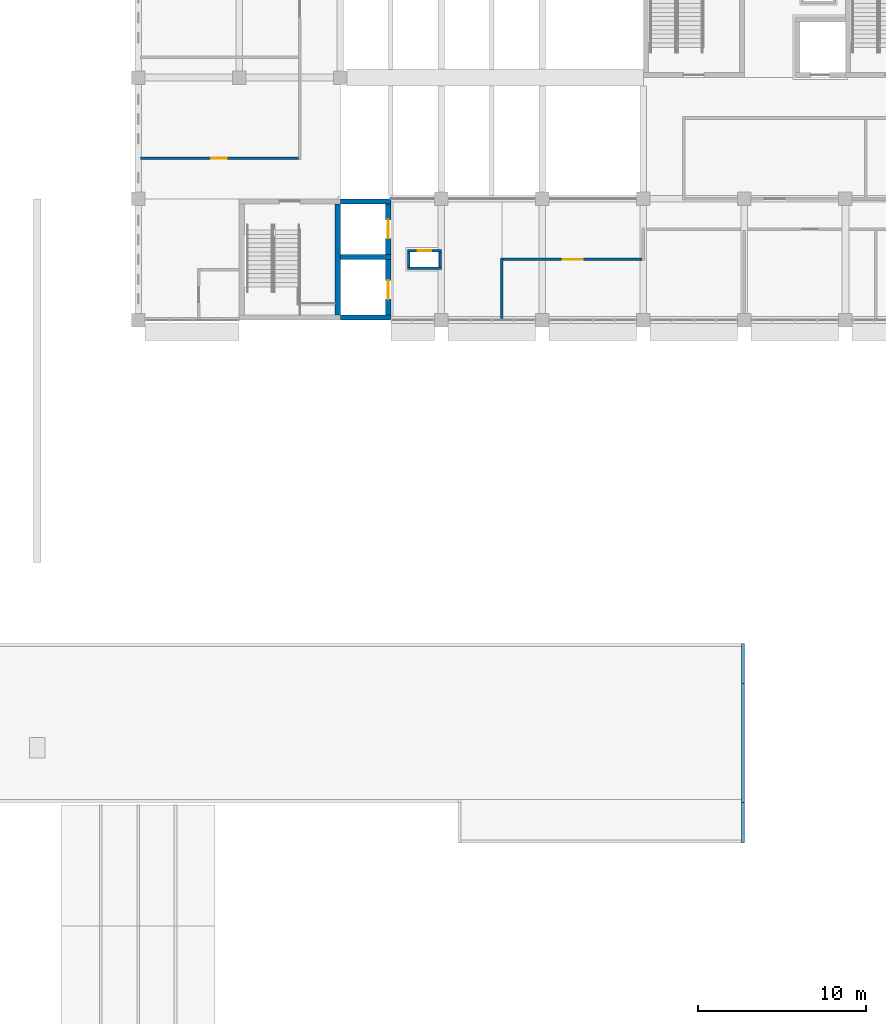
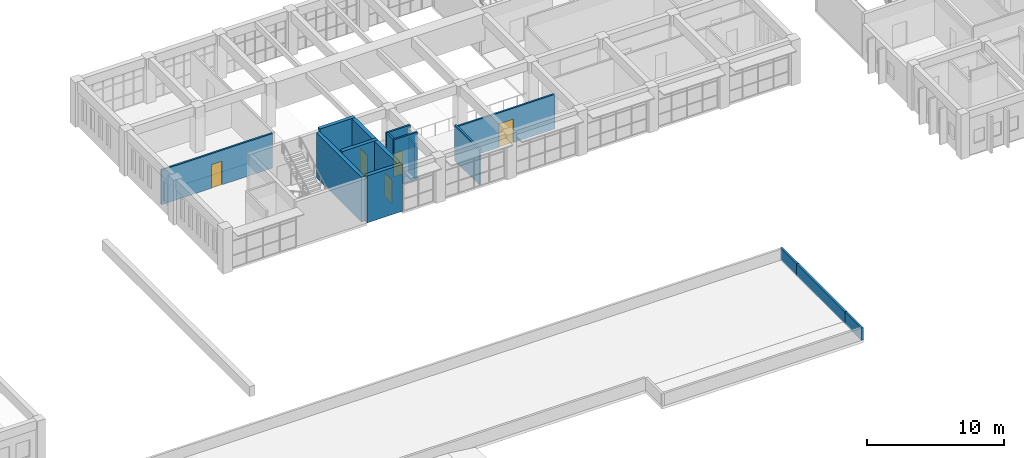
# One storey, part 32 of 47: 16 walls, 5 doors, 5 openings.
"""IFC4 building model written with IfcOpenShell, lengths in metres."""

from ifc_helpers import new_model, si_unit, direction, frame, frame_2d, origin, place, context, subcontext, project, spatial, rectangle, extrude, material, layer, layer_set, type_object, element, fill, save


model = new_model("IFC4")

# Units and contexts
model_context = context("Model", 3, precision=1e-05, world=origin(), true_north=direction((0.0, 1.0)))
body_context = subcontext(model_context, "Body", "Model", "MODEL_VIEW")
ifc_project = project(units=[si_unit("LENGTHUNIT", "METRE"), si_unit("AREAUNIT", "SQUARE_METRE"), si_unit("VOLUMEUNIT", "CUBIC_METRE"), si_unit("PLANEANGLEUNIT", "RADIAN"), si_unit("MASSUNIT", "GRAM", prefix="KILO")], contexts=[model_context])

# Site, building, storey
site_placement = place(None, origin())
site = spatial("IfcSite", under=ifc_project, at=site_placement, CompositionType="ELEMENT")
building_placement = place(site_placement, origin())
building = spatial("IfcBuilding", under=site, at=building_placement, Name="Laocheng Heights Fire and Rescue Headquarters", CompositionType="ELEMENT")
storey_placement = place(building_placement, frame((0.0, 0.0, 16.800048828125)))
storey = spatial("IfcBuildingStorey", under=building, at=storey_placement, Name="L04", CompositionType="ELEMENT", Elevation=16.800048828125)

# Wall
ifc_material_1 = material(Name="Gypsum plaster")
ifc_layer_1 = layer(ifc_material_1, 0.010009765625, Name="PLASTER", Category="plaster")
ifc_material_2 = material(Name="Concrete blockwork MU10", Category="masonry")
ifc_layer_2 = layer(ifc_material_2, 0.1298828125, Name="BLOCKWORK", Category="masonry")
ifc_layer_3 = layer(ifc_material_1, 0.010009765625, Name="PLASTER", Category="plaster")
ifc_layer_set_1 = layer_set([ifc_layer_1, ifc_layer_2, ifc_layer_3], Name="Concrete blockwork MU10")
wall_type_1 = type_object("IfcWallType", Name="BLOCKWORK CORRIDOR WALL 150 EI 60 HQ WING", PredefinedType="PARTITIONING", material=ifc_layer_set_1)
wall_1_placement = place(storey_placement, frame((57.60009765625, 50.47509765625, 0.0), z_axis=(0.0, 0.0, 1.0), x_axis=(0.0, 1.0, 0.0)))
element("IfcWall", 1, at=wall_1_placement, inside=storey, type_object=wall_type_1, Name="Partition L04-003", PredefinedType="PARTITIONING", context=body_context, shape_type="SweptSolid", body=[
    extrude(rectangle(XDim=3.599853515625, YDim=0.14990234375, at=frame_2d((1.7998046875, 0.0))), origin(), (0.0, 0.0, 1.0), 3.199951171875),
])

# Wall, opening, door
wall_2_placement = place(storey_placement, frame((57.675048828125, 54.0, 0.0), z_axis=(0.0, 0.0, 1.0), x_axis=(1.0, 0.0, 0.0)))
wall_2 = element("IfcWall", 2, at=wall_2_placement, inside=storey, type_object=wall_type_1, Name="Partition L04-010", PredefinedType="PARTITIONING", context=body_context, shape_type="SweptSolid", body=[
    extrude(rectangle(XDim=8.25, YDim=0.14990234375, at=frame_2d((4.125, 0.0))), origin(), (0.0, 0.0, 1.0), 3.099853515625),
])
opening_1_placement = place(wall_2_placement, frame((3.52490234375, 0.0, 0.0)))
opening_1 = element("IfcOpeningElement", 3, at=opening_1_placement, cuts=wall_2, Name="Opening L04-Y03", PredefinedType="OPENING", context=body_context, shape_type="SweptSolid", body=[
    extrude(rectangle(XDim=1.199951171875, YDim=2.10009765625, at=frame_2d((0.60009765625, 1.050048828125))), frame((0.0, 0.0849609375, 0.0), z_axis=(0.0, -1.0, 0.0), x_axis=(1.0, 0.0, 0.0)), (0.0, 0.0, 1.0), 0.169921875),
])
ifc_material_3 = material(Name="Timber door leaf, veneered", Category="wood")
door_type_1 = type_object("IfcDoorType", Name="TIMBER DOOR 1200x2100 EI 30 HQ WING", OperationType="SINGLE_SWING_LEFT", PredefinedType="DOOR", material=ifc_material_3)
door_1_placement = place(opening_1_placement, origin())
door_1 = element("IfcDoor", 4, at=door_1_placement, inside=storey, type_object=door_type_1, Name="Door L04-Y03", OperationType="SINGLE_SWING_LEFT", OverallHeight=2.10009765625, OverallWidth=1.199951171875, PredefinedType="DOOR", context=body_context, shape_type="SweptSolid", body=[
    extrude(rectangle(XDim=1.199951171875, YDim=2.10009765625, at=frame_2d((0.60009765625, 1.050048828125))), frame((0.0, 0.02490234375, 0.0), z_axis=(0.0, -1.0, 0.0), x_axis=(1.0, 0.0, 0.0)), (0.0, 0.0, 1.0), 0.050048828125),
])
fill(opening_1, door_1)

wall_3_placement = place(storey_placement, frame((36.14990234375, 60.0, 0.0), z_axis=(0.0, 0.0, 1.0), x_axis=(1.0, 0.0, 0.0)))
wall_3 = element("IfcWall", 5, at=wall_3_placement, inside=storey, type_object=wall_type_1, Name="Partition L04-015", PredefinedType="PARTITIONING", context=body_context, shape_type="SweptSolid", body=[
    extrude(rectangle(XDim=9.375, YDim=0.14990234375, at=frame_2d((4.6875, 0.0))), origin(), (0.0, 0.0, 1.0), 3.099853515625),
])
opening_2_placement = place(wall_3_placement, frame((4.199951171875, 0.0, 0.0)))
opening_2 = element("IfcOpeningElement", 6, at=opening_2_placement, cuts=wall_3, Name="Opening L04-Y08", PredefinedType="OPENING", context=body_context, shape_type="SweptSolid", body=[
    extrude(rectangle(XDim=0.89990234375, YDim=2.10009765625, at=frame_2d((0.449951171875, 1.050048828125))), frame((0.0, 0.0849609375, 0.0), z_axis=(0.0, -1.0, 0.0), x_axis=(1.0, 0.0, 0.0)), (0.0, 0.0, 1.0), 0.169921875),
])
ifc_material_4 = material(Name="Timber door leaf, veneered", Category="wood")
door_type_2 = type_object("IfcDoorType", Name="TIMBER DOOR 900x2100 EI 30 HQ WING", OperationType="SINGLE_SWING_LEFT", PredefinedType="DOOR", material=ifc_material_4)
door_2_placement = place(opening_2_placement, origin())
door_2 = element("IfcDoor", 7, at=door_2_placement, inside=storey, type_object=door_type_2, Name="Door L04-Y08", OperationType="SINGLE_SWING_LEFT", OverallHeight=2.10009765625, OverallWidth=0.89990234375, PredefinedType="DOOR", context=body_context, shape_type="SweptSolid", body=[
    extrude(rectangle(XDim=0.89990234375, YDim=2.10009765625, at=frame_2d((0.449951171875, 1.050048828125))), frame((0.0, 0.02490234375, 0.0), z_axis=(0.0, -1.0, 0.0), x_axis=(1.0, 0.0, 0.0)), (0.0, 0.0, 1.0), 0.050048828125),
])
fill(opening_2, door_2)

# Walls
ifc_material_5 = material(Name="Precast concrete C40/50", Category="concrete")
ifc_layer_4 = layer(ifc_material_5, 0.179931640625)
ifc_layer_set_2 = layer_set([ifc_layer_4], Name="Precast concrete C40/50")
wall_type_2 = type_object("IfcWallType", Name="PRECAST PARAPET 200 x 1100", PredefinedType="PARAPET", material=ifc_layer_set_2)
wall_4_placement = place(storey_placement, frame((71.909912109375, 28.800048828125, 0.0), z_axis=(0.0, 0.0, 1.0), x_axis=(0.0, 1.0, 0.0)))
element("IfcWall", 8, at=wall_4_placement, inside=storey, type_object=wall_type_2, Name="Gallery parapet", PredefinedType="PARAPET", context=body_context, shape_type="SweptSolid", body=[
    extrude(rectangle(XDim=2.39990234375, YDim=0.179931640625, at=frame_2d((1.199951171875, 0.0))), origin(), (0.0, 0.0, 1.0), 1.099853515625),
])
wall_5_placement = place(storey_placement, frame((71.909912109375, 21.75, 0.0), z_axis=(0.0, 0.0, 1.0), x_axis=(0.0, 1.0, 0.0)))
element("IfcWall", 9, at=wall_5_placement, inside=storey, type_object=wall_type_2, Name="Gallery parapet", PredefinedType="PARAPET", context=body_context, shape_type="SweptSolid", body=[
    extrude(rectangle(XDim=7.050048828125, YDim=0.179931640625, at=frame_2d((3.52490234375, 0.0))), origin(), (0.0, 0.0, 1.0), 1.099853515625),
])
wall_6_placement = place(storey_placement, frame((71.909912109375, 19.35009765625, 0.0), z_axis=(0.0, 0.0, 1.0), x_axis=(0.0, 1.0, 0.0)))
element("IfcWall", 10, at=wall_6_placement, inside=storey, type_object=wall_type_2, Name="Gallery parapet", PredefinedType="PARAPET", context=body_context, shape_type="SweptSolid", body=[
    extrude(rectangle(XDim=2.39990234375, YDim=0.179931640625, at=frame_2d((1.199951171875, 0.0))), origin(), (0.0, 0.0, 1.0), 1.099853515625),
])
ifc_material_6 = material(Name="Concrete C50", Category="concrete")
ifc_layer_5 = layer(ifc_material_6, 0.300048828125)
ifc_layer_set_3 = layer_set([ifc_layer_5], Name="Concrete C50")
wall_type_3 = type_object("IfcWallType", Name="RC LIFT SHAFT WALL 300", PredefinedType="SHEAR", material=ifc_layer_set_3)
for number, where, z_axis, x_axis, name in (
    (11, (48.0, 54.14990234375, 0.0), (0.0, 0.0, 1.0), (1.0, 0.0, 0.0), "Lift shaft wall"),
    (12, (48.0, 57.449951171875, 0.0), (0.0, 0.0, 1.0), (1.0, 0.0, 0.0), "Lift shaft wall"),
):
    element("IfcWall", number, at=place(storey_placement, frame(where, z_axis=z_axis, x_axis=x_axis)), inside=storey, type_object=wall_type_3, Name=name, PredefinedType="SHEAR", context=body_context, shape_type="SweptSolid", body=[
        extrude(rectangle(XDim=3.0, YDim=0.300048828125, at=frame_2d((1.5, 0.0))), origin(), (0.0, 0.0, 1.0), 4.199951171875),
    ])

# Wall, opening, door
wall_7_placement = place(storey_placement, frame((50.85009765625, 54.300048828125, 0.0), z_axis=(0.0, 0.0, 1.0), x_axis=(0.0, 1.0, 0.0)))
wall_7 = element("IfcWall", 13, at=wall_7_placement, inside=storey, type_object=wall_type_3, Name="Lift shaft wall", PredefinedType="SHEAR", context=body_context, shape_type="SweptSolid", body=[
    extrude(rectangle(XDim=3.0, YDim=0.300048828125, at=frame_2d((1.5, 0.0))), origin(), (0.0, 0.0, 1.0), 4.199951171875),
])
opening_3_placement = place(wall_7_placement, frame((0.949951171875, 0.0, 0.0)))
opening_3 = element("IfcOpeningElement", 14, at=opening_3_placement, cuts=wall_7, Name="Opening L04-K10", PredefinedType="OPENING", context=body_context, shape_type="SweptSolid", body=[
    extrude(rectangle(XDim=1.10009765625, YDim=2.10009765625, at=frame_2d((0.550048828125, 1.050048828125))), frame((0.0, 0.159912109375, 0.0), z_axis=(0.0, -1.0, 0.0), x_axis=(1.0, 0.0, 0.0)), (0.0, 0.0, 1.0), 0.320068359375),
])
ifc_material_7 = material(Name="Stainless steel", Category="steel")
door_type_3 = type_object("IfcDoorType", Name="LANDING DOOR H-L1 SLIDING 1100x2100 E 120", OperationType="DOUBLE_DOOR_SLIDING", PredefinedType="DOOR", material=ifc_material_7)
door_3_placement = place(opening_3_placement, origin())
door_3 = element("IfcDoor", 15, at=door_3_placement, inside=storey, type_object=door_type_3, Name="Landing door H-L1", OperationType="DOUBLE_DOOR_SLIDING", OverallHeight=2.10009765625, OverallWidth=1.10009765625, PredefinedType="DOOR", context=body_context, shape_type="SweptSolid", body=[
    extrude(rectangle(XDim=1.10009765625, YDim=2.10009765625, at=frame_2d((0.550048828125, 1.050048828125))), frame((0.0, 0.02490234375, 0.0), z_axis=(0.0, -1.0, 0.0), x_axis=(1.0, 0.0, 0.0)), (0.0, 0.0, 1.0), 0.050048828125),
])
fill(opening_3, door_3)

# Wall
wall_8_placement = place(storey_placement, frame((48.0, 50.550048828125, 0.0), z_axis=(0.0, 0.0, 1.0), x_axis=(1.0, 0.0, 0.0)))
element("IfcWall", 16, at=wall_8_placement, inside=storey, type_object=wall_type_3, Name="Lift shaft wall", PredefinedType="SHEAR", context=body_context, shape_type="SweptSolid", body=[
    extrude(rectangle(XDim=3.0, YDim=0.300048828125, at=frame_2d((1.5, 0.0))), origin(), (0.0, 0.0, 1.0), 4.199951171875),
])

# Wall, opening, door
wall_9_placement = place(storey_placement, frame((50.85009765625, 50.699951171875, 0.0), z_axis=(0.0, 0.0, 1.0), x_axis=(0.0, 1.0, 0.0)))
wall_9 = element("IfcWall", 17, at=wall_9_placement, inside=storey, type_object=wall_type_3, Name="Lift shaft wall", PredefinedType="SHEAR", context=body_context, shape_type="SweptSolid", body=[
    extrude(rectangle(XDim=3.300048828125, YDim=0.300048828125, at=frame_2d((1.64990234375, 0.0))), origin(), (0.0, 0.0, 1.0), 4.199951171875),
])
opening_4_placement = place(wall_9_placement, frame((0.949951171875, 0.0, 0.0)))
opening_4 = element("IfcOpeningElement", 18, at=opening_4_placement, cuts=wall_9, Name="Opening L04-K11", PredefinedType="OPENING", context=body_context, shape_type="SweptSolid", body=[
    extrude(rectangle(XDim=1.10009765625, YDim=2.10009765625, at=frame_2d((0.550048828125, 1.050048828125))), frame((0.0, 0.159912109375, 0.0), z_axis=(0.0, -1.0, 0.0), x_axis=(1.0, 0.0, 0.0)), (0.0, 0.0, 1.0), 0.320068359375),
])
ifc_material_8 = material(Name="Stainless steel", Category="steel")
door_type_4 = type_object("IfcDoorType", Name="LANDING DOOR H-L3 SLIDING 1100x2100 E 120", OperationType="DOUBLE_DOOR_SLIDING", PredefinedType="DOOR", material=ifc_material_8)
door_4_placement = place(opening_4_placement, origin())
door_4 = element("IfcDoor", 19, at=door_4_placement, inside=storey, type_object=door_type_4, Name="Landing door H-L3", OperationType="DOUBLE_DOOR_SLIDING", OverallHeight=2.10009765625, OverallWidth=1.10009765625, PredefinedType="DOOR", context=body_context, shape_type="SweptSolid", body=[
    extrude(rectangle(XDim=1.10009765625, YDim=2.10009765625, at=frame_2d((0.550048828125, 1.050048828125))), frame((0.0, 0.02490234375, 0.0), z_axis=(0.0, -1.0, 0.0), x_axis=(1.0, 0.0, 0.0)), (0.0, 0.0, 1.0), 0.050048828125),
])
fill(opening_4, door_4)

# Walls
ifc_material_9 = material(Name="Concrete C50", Category="concrete")
ifc_layer_6 = layer(ifc_material_9, 0.300048828125)
ifc_layer_set_4 = layer_set([ifc_layer_6], Name="Concrete C50")
wall_type_4 = type_object("IfcWallType", Name="RC STAIR ENCLOSURE WALL 300", PredefinedType="SHEAR", material=ifc_layer_set_4)
wall_10_placement = place(storey_placement, frame((47.85009765625, 50.699951171875, 0.0), z_axis=(0.0, 0.0, 1.0), x_axis=(0.0, 1.0, 0.0)))
element("IfcWall", 20, at=wall_10_placement, inside=storey, type_object=wall_type_4, Name="Stair enclosure wall", PredefinedType="SHEAR", context=body_context, shape_type="SweptSolid", body=[
    extrude(rectangle(XDim=6.60009765625, YDim=0.300048828125, at=frame_2d((3.300048828125, 0.0))), origin(), (0.0, 0.0, 1.0), 4.0),
])
ifc_material_10 = material(Name="Concrete C30", Category="concrete")
ifc_layer_7 = layer(ifc_material_10, 0.14990234375)
ifc_layer_set_5 = layer_set([ifc_layer_7], Name="Concrete C30")
wall_type_5 = type_object("IfcWallType", Name="RISER SHAFT WALL 150", PredefinedType="SOLIDWALL", material=ifc_layer_set_5)
wall_11_placement = place(storey_placement, frame((52.0, 53.47509765625, 0.0), z_axis=(0.0, 0.0, 1.0), x_axis=(1.0, 0.0, 0.0)))
element("IfcWall", 21, at=wall_11_placement, inside=storey, type_object=wall_type_5, Name="Riser shaft wall", PredefinedType="SOLIDWALL", context=body_context, shape_type="SweptSolid", body=[
    extrude(rectangle(XDim=2.0, YDim=0.14990234375, at=frame_2d((1.0, 0.0))), origin(), (0.0, 0.0, 1.0), 4.199951171875),
])

# Wall, opening, door
wall_12_placement = place(storey_placement, frame((52.0, 54.52490234375, 0.0), z_axis=(0.0, 0.0, 1.0), x_axis=(1.0, 0.0, 0.0)))
wall_12 = element("IfcWall", 22, at=wall_12_placement, inside=storey, type_object=wall_type_5, Name="Riser shaft wall", PredefinedType="SOLIDWALL", context=body_context, shape_type="SweptSolid", body=[
    extrude(rectangle(XDim=2.0, YDim=0.14990234375, at=frame_2d((1.0, 0.0))), origin(), (0.0, 0.0, 1.0), 4.199951171875),
])
opening_5_placement = place(wall_12_placement, frame((0.60009765625, 0.0, 0.0)))
opening_5 = element("IfcOpeningElement", 23, at=opening_5_placement, cuts=wall_12, Name="Opening L04-K12", PredefinedType="OPENING", context=body_context, shape_type="SweptSolid", body=[
    extrude(rectangle(XDim=0.800048828125, YDim=2.10009765625, at=frame_2d((0.39990234375, 1.050048828125))), frame((0.0, 0.0849609375, 0.0), z_axis=(0.0, -1.0, 0.0), x_axis=(1.0, 0.0, 0.0)), (0.0, 0.0, 1.0), 0.169921875),
])
ifc_material_11 = material(Name="Painted steel", Category="steel")
door_type_5 = type_object("IfcDoorType", Name="RISER ACCESS DOOR 800x2100 EI 30", OperationType="SINGLE_SWING_LEFT", PredefinedType="DOOR", material=ifc_material_11)
door_5_placement = place(opening_5_placement, origin())
door_5 = element("IfcDoor", 24, at=door_5_placement, inside=storey, type_object=door_type_5, Name="Riser RH1 access door", OperationType="SINGLE_SWING_LEFT", OverallHeight=2.10009765625, OverallWidth=0.800048828125, PredefinedType="DOOR", context=body_context, shape_type="SweptSolid", body=[
    extrude(rectangle(XDim=0.800048828125, YDim=2.10009765625, at=frame_2d((0.39990234375, 1.050048828125))), frame((0.0, 0.02490234375, 0.0), z_axis=(0.0, -1.0, 0.0), x_axis=(1.0, 0.0, 0.0)), (0.0, 0.0, 1.0), 0.050048828125),
])
fill(opening_5, door_5)

# Walls
wall_13_placement = place(storey_placement, frame((52.074951171875, 53.550048828125, 0.0), z_axis=(0.0, 0.0, 1.0), x_axis=(0.0, 1.0, 0.0)))
element("IfcWall", 25, at=wall_13_placement, inside=storey, type_object=wall_type_5, Name="Riser shaft wall", PredefinedType="SOLIDWALL", context=body_context, shape_type="SweptSolid", body=[
    extrude(rectangle(XDim=0.89990234375, YDim=0.14990234375, at=frame_2d((0.449951171875, 0.0))), origin(), (0.0, 0.0, 1.0), 4.199951171875),
])
wall_14_placement = place(storey_placement, frame((53.925048828125, 53.550048828125, 0.0), z_axis=(0.0, 0.0, 1.0), x_axis=(0.0, 1.0, 0.0)))
element("IfcWall", 26, at=wall_14_placement, inside=storey, type_object=wall_type_5, Name="Riser shaft wall", PredefinedType="SOLIDWALL", context=body_context, shape_type="SweptSolid", body=[
    extrude(rectangle(XDim=0.89990234375, YDim=0.14990234375, at=frame_2d((0.449951171875, 0.0))), origin(), (0.0, 0.0, 1.0), 3.099853515625),
])

save(model, "model.ifc")
